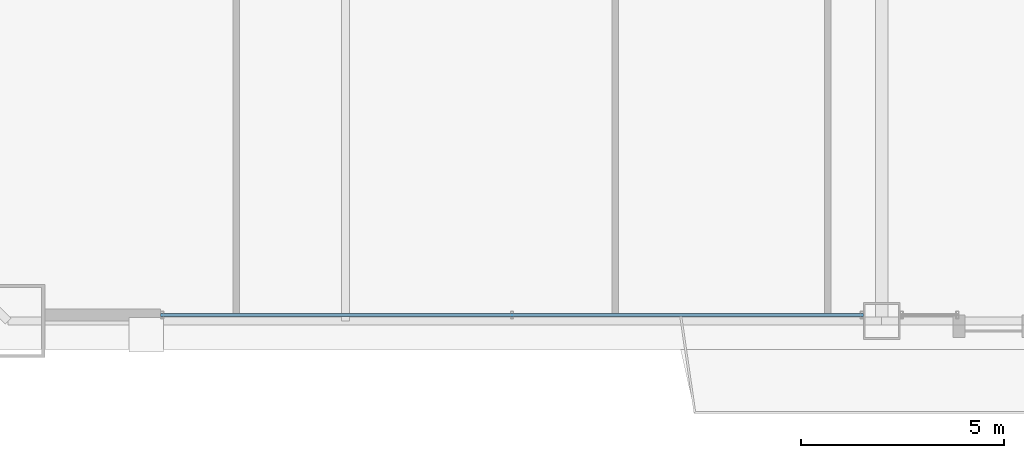
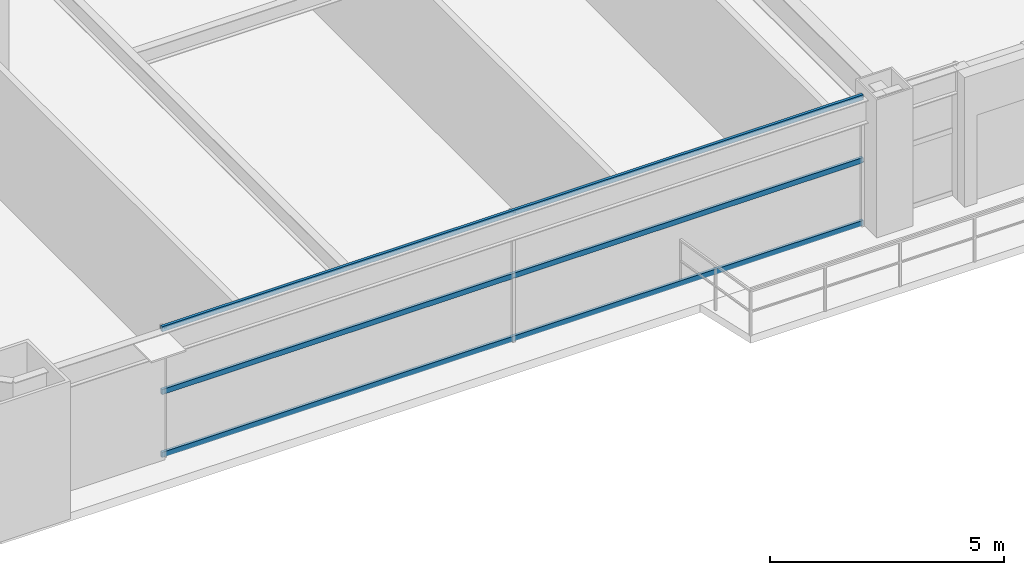
# One storey, part 8 of 43: 3 members, 1 element without a shape of its own.
"""IFC4 building model written with IfcOpenShell, lengths in metres."""

from ifc_helpers import new_model, si_unit, direction, frame, origin, origin_2d, place, context, subcontext, project, spatial, hollow_rectangle, extrude, source, transform, mapped, material, layer, layer_set, material_profile, profile_set, type_object, element, aggregate, save


model = new_model("IFC4")

# Units and contexts
model_context = context("Model", 3, precision=1e-05, world=origin(), true_north=direction((0.0, 1.0)))
body_context = subcontext(model_context, "Body", "Model", "MODEL_VIEW")
ifc_project = project(units=[si_unit("LENGTHUNIT", "METRE"), si_unit("AREAUNIT", "SQUARE_METRE"), si_unit("VOLUMEUNIT", "CUBIC_METRE"), si_unit("PLANEANGLEUNIT", "RADIAN"), si_unit("MASSUNIT", "GRAM", prefix="KILO"), si_unit("THERMODYNAMICTEMPERATUREUNIT", "KELVIN"), si_unit("POWERUNIT", "WATT")], contexts=[model_context])

# Site, building, storey
site_placement = place(None, origin())
site = spatial("IfcSite", under=ifc_project, at=site_placement, CompositionType="ELEMENT")
building_placement = place(site_placement, origin())
building = spatial("IfcBuilding", under=site, at=building_placement, Name="Yuzanri Waterfront Tower", CompositionType="ELEMENT")
storey_placement = place(building_placement, frame((0.0, 0.0, 64.0)))
storey = spatial("IfcBuildingStorey", under=building, at=storey_placement, Name="L16", CompositionType="ELEMENT", Elevation=64.0)

# Curtain wall, members
ifc_material_1 = material(Name="Anodized Architectural Bronze", Category="metal")
ifc_layer = layer(ifc_material_1, 0.159912109375)
ifc_layer_set = layer_set([ifc_layer], Name="Anodized Architectural Bronze")
curtain_wall_type = type_object("IfcCurtainWallType", Name="Anodized Bronze Hotel Lower-Tier Recessed Unitized Curtain Wall 8100", PredefinedType="NOTDEFINED", material=ifc_layer_set)
curtain_wall_placement = place(storey_placement, origin())
curtain_wall = element("IfcCurtainWall", 1, at=curtain_wall_placement, inside=storey, type_object=curtain_wall_type, Name="L16 Curtain Wall CW-L16-SL", PredefinedType="NOTDEFINED")
ifc_material_2 = material(Name="Anodized Architectural Bronze", Category="metal")
ifc_material_profile = material_profile(ifc_material_2, hollow_rectangle(XDim=0.070068359375, YDim=0.135009765625, WallThickness=0.00341796875, at=origin_2d()), Name="CWT 70x135")
ifc_profile_set = profile_set([ifc_material_profile], Name="Anodized Architectural Bronze")
member_type = type_object("IfcMemberType", Name="Anodized Bronze Standard Curtain-Wall Transom 70x135", PredefinedType="USERDEFINED", material=ifc_profile_set)
shared_shape = source(origin(), body_context, "Body", "SweptSolid", [
    extrude(hollow_rectangle(XDim=0.070068359375, YDim=0.135009765625, WallThickness=0.00341796875, at=origin_2d()), origin(), (0.0, 0.0, 1.0), 17.300048828125),
])
member_1_placement = place(storey_placement, frame((19.25, 0.85009765625, 0.050048828125), z_axis=(1.0, 0.0, 0.0), x_axis=(0.0, 1.0, 0.0)))
member_1 = element("IfcMember", 2, at=member_1_placement, type_object=member_type, Name="CW-L16-SL Transom 1", ObjectType="TRANSOM", PredefinedType="USERDEFINED", context=body_context, shape_type="MappedRepresentation", body=[
    mapped(shared_shape, transform((0.0, 0.0, 0.0), scale=1.0)),
])
member_2_placement = place(storey_placement, frame((19.25, 0.85009765625, 1.68994140625), z_axis=(1.0, 0.0, 0.0), x_axis=(0.0, 1.0, 0.0)))
member_2 = element("IfcMember", 3, at=member_2_placement, type_object=member_type, Name="CW-L16-SL Transom 2", ObjectType="TRANSOM", PredefinedType="USERDEFINED", context=body_context, shape_type="MappedRepresentation", body=[
    mapped(shared_shape, transform((0.0, 0.0, 0.0), scale=1.0)),
])
member_3_placement = place(storey_placement, frame((19.25, 0.85009765625, 3.330078125), z_axis=(1.0, 0.0, 0.0), x_axis=(0.0, 1.0, 0.0)))
member_3 = element("IfcMember", 4, at=member_3_placement, type_object=member_type, Name="CW-L16-SL Transom 3", ObjectType="TRANSOM", PredefinedType="USERDEFINED", context=body_context, shape_type="MappedRepresentation", body=[
    mapped(shared_shape, transform((0.0, 0.0, 0.0), scale=1.0)),
])
aggregate(curtain_wall, [member_1, member_2, member_3])

save(model, "model.ifc")
